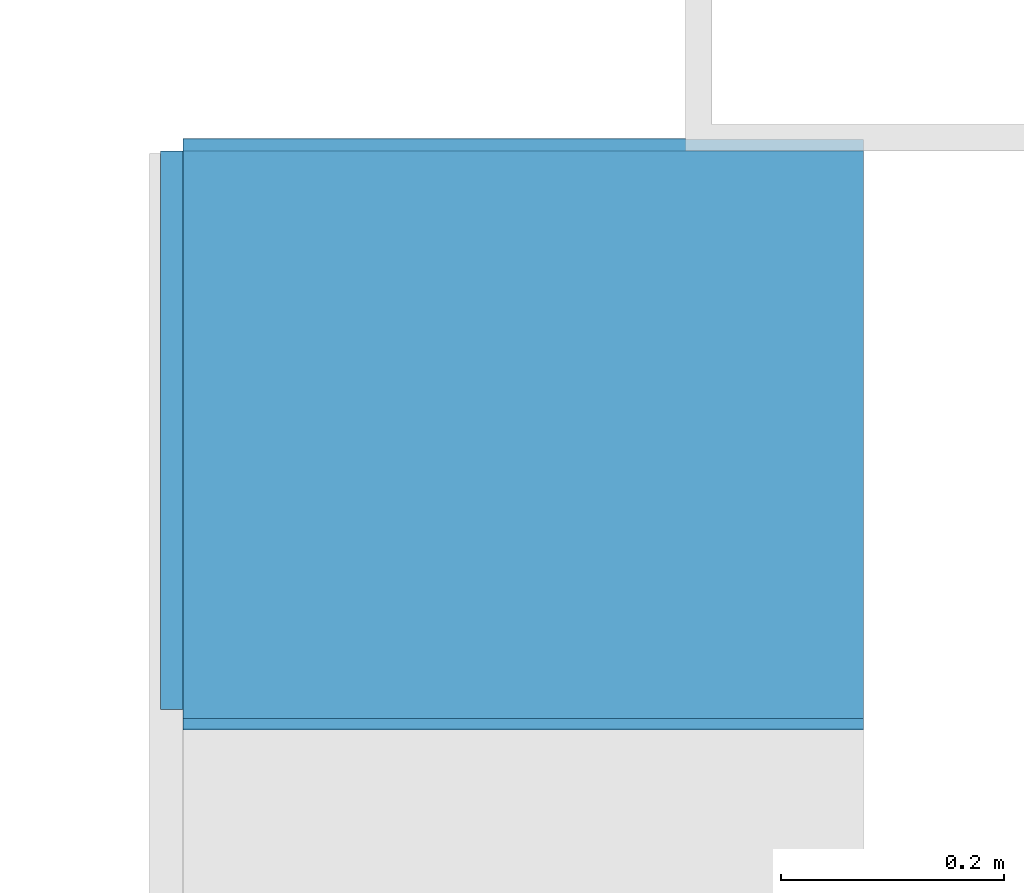
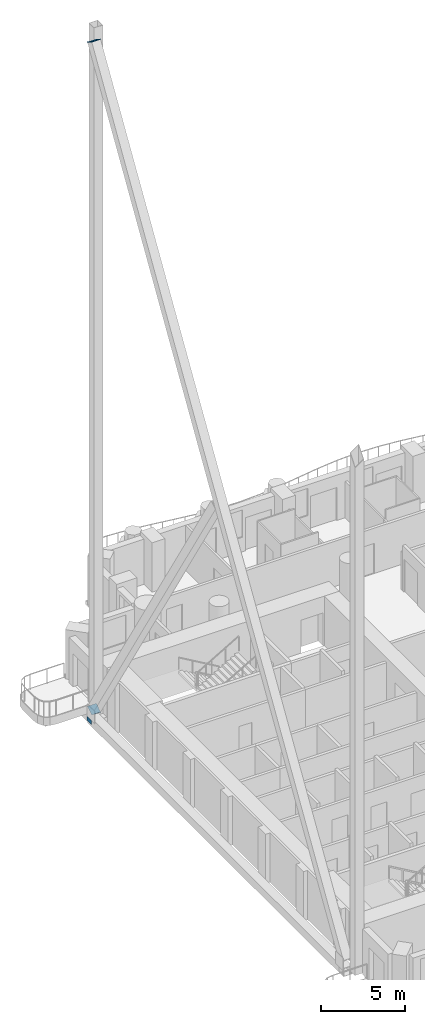
# One storey, part 14 of 24: 3 discrete accessories.
"""IFC4 building model written with IfcOpenShell, lengths in metres."""

import ifcopenshell
import ifcopenshell.guid

model = None  # the IFC model being written
_history = None  # IfcOwnerHistory: only IFC2X3 demands one
_inside = {}  # id of a spatial element -> (the spatial element, [elements in it])
_under = {}  # id of a project, library or spatial element -> (it, [spatial elements below it])
_declared = {}  # id of a project -> (the project, [libraries it declares])
_typed = {}  # id of a type object -> (the type object, [elements of that type])
_made_of = {}  # id of a material, layer set ... -> (it, [elements and type objects made of it])


def new_model(schema):
    """Start an empty IFC model of exactly this schema.

    Asked for "IFC4X3", IfcOpenShell would pick the latest addendum, in which some entities
    have other attributes; the version numbers below select the first issue.
    IFC2X3 requires an IfcOwnerHistory on every rooted entity: one is made here for all.
    """
    global model, _history
    if schema == "IFC4X3":
        model = ifcopenshell.file(schema_version=(4, 3, 0, 0))
    else:
        model = ifcopenshell.file(schema=schema)
    _inside.clear()
    _under.clear()
    _declared.clear()
    _typed.clear()
    _made_of.clear()
    _history = None
    if model.schema == "IFC2X3":
        org = make("IfcOrganization", Name="unknown")
        user = make(
            "IfcPersonAndOrganization",
            ThePerson=make("IfcPerson", FamilyName="unknown"),
            TheOrganization=org,
        )
        app = make(
            "IfcApplication",
            ApplicationDeveloper=org,
            Version="unknown",
            ApplicationFullName="unknown",
            ApplicationIdentifier="unknown",
        )
        _history = make(
            "IfcOwnerHistory",
            OwningUser=user,
            OwningApplication=app,
            ChangeAction="ADDED",
            CreationDate=0,
        )
    return model


def make(cls, **values):
    """One entity of the class cls with the attributes given. An attribute that is None is left unset."""
    return model.create_entity(
        cls, **{name: value for name, value in values.items() if value is not None}
    )


def rooted(cls, **values):
    """An entity with a GlobalId (a new one), such as an element, a storey or a relation."""
    return make(cls, GlobalId=ifcopenshell.guid.new(), OwnerHistory=_history, **values)


def si_unit(unit_type, name, prefix=None):
    """IfcSIUnit, for example si_unit("LENGTHUNIT", "METRE", prefix="MILLI")."""
    return make("IfcSIUnit", UnitType=unit_type, Prefix=prefix, Name=name)


def assignment(units):
    """IfcUnitAssignment: the units of a project."""
    return None if units is None else make("IfcUnitAssignment", Units=units)


def point(xyz):
    """IfcCartesianPoint."""
    return None if xyz is None else make("IfcCartesianPoint", Coordinates=xyz)


def direction(xyz):
    """IfcDirection."""
    return None if xyz is None else make("IfcDirection", DirectionRatios=xyz)


def frame(location, z_axis=None, x_axis=None):
    """IfcAxis2Placement3D, a coordinate frame: its origin and axes. An axis left out is left unset."""
    return make(
        "IfcAxis2Placement3D",
        Location=point(location),
        Axis=direction(z_axis),
        RefDirection=direction(x_axis),
    )


def frame_2d(location, x_axis=None):
    """IfcAxis2Placement2D, a coordinate frame in the plane: its origin and x axis."""
    return make(
        "IfcAxis2Placement2D", Location=point(location), RefDirection=direction(x_axis)
    )


def origin():
    """The frame at (0, 0, 0) with its axes left unset."""
    return frame((0.0, 0.0, 0.0))


def origin_2d():
    """The frame at (0, 0) in the plane with its x axis left unset."""
    return frame_2d((0.0, 0.0))


def place(relative_to, where):
    """IfcLocalPlacement: puts the frame where relative to a parent placement (None: the world)."""
    return make(
        "IfcLocalPlacement", PlacementRelTo=relative_to, RelativePlacement=where
    )


def context(
    kind, dimensions, precision=None, world=None, true_north=None, identifier=None
):
    """IfcGeometricRepresentationContext, for example the 3D "Model" context."""
    return make(
        "IfcGeometricRepresentationContext",
        ContextIdentifier=identifier,
        ContextType=kind,
        CoordinateSpaceDimension=dimensions,
        Precision=precision,
        WorldCoordinateSystem=world,
        TrueNorth=true_north,
    )


def subcontext(parent, identifier, kind, view, scale=None):
    """IfcGeometricRepresentationSubContext, for example "Body" below "Model"."""
    return make(
        "IfcGeometricRepresentationSubContext",
        ContextIdentifier=identifier,
        ContextType=kind,
        ParentContext=parent,
        TargetScale=scale,
        TargetView=view,
    )


def project(units=None, contexts=None):
    """IfcProject with its units and contexts."""
    return rooted(
        "IfcProject",
        Name="project",
        RepresentationContexts=contexts,
        UnitsInContext=assignment(units),
    )


def spatial(cls, under=None, at=None, **own):
    """A site, building, storey or space (cls), placed at a placement, below another one or the project."""
    s = rooted(cls, ObjectPlacement=at, **own)
    if under is not None:
        _under.setdefault(under.id(), (under, []))[1].append(s)
    return s


def profile(cls, at=None, kind="AREA", **sizes):
    """A parametric profile (cls). Its sizes go by their IFC names, for example OverallWidth=200.0."""
    return make(cls, ProfileType=kind, Position=at, **sizes)


def rectangle(**sizes):
    """IfcRectangleProfileDef."""
    return profile("IfcRectangleProfileDef", **sizes)


def extrude(swept, where, along, depth):
    """IfcExtrudedAreaSolid: the profile swept, set in the frame where, extruded along a direction by depth."""
    return make(
        "IfcExtrudedAreaSolid",
        SweptArea=swept,
        Position=where,
        ExtrudedDirection=direction(along),
        Depth=depth,
    )


def shape(context_of_items, identifier, shape_type, items):
    """IfcShapeRepresentation: the items that make up one representation, for example the "Body"."""
    return make(
        "IfcShapeRepresentation",
        ContextOfItems=context_of_items,
        RepresentationIdentifier=identifier,
        RepresentationType=shape_type,
        Items=items,
    )


def material(Name=None, Category=None):
    """IfcMaterial."""
    return make("IfcMaterial", Name=Name, Category=Category)


def material_profile(
    of_material, cross_section, Name=None, Category=None, Priority=None
):
    """IfcMaterialProfile: a cross section and its material."""
    return make(
        "IfcMaterialProfile",
        Name=Name,
        Material=of_material,
        Profile=cross_section,
        Priority=Priority,
        Category=Category,
    )


def profile_set(profiles, Name=None, composite=None):
    """IfcMaterialProfileSet."""
    return make(
        "IfcMaterialProfileSet",
        Name=Name,
        MaterialProfiles=profiles,
        CompositeProfile=composite,
    )


def made_of(thing, what):
    """Note that an element or type object is made of a material, layer set ...; save() writes the relation."""
    if what is not None:
        _made_of.setdefault(what.id(), (what, []))[1].append(thing)
    return thing


def type_object(cls, material=None, **own):
    """A type object (cls), such as IfcWallType, which elements share."""
    return made_of(rooted(cls, **own), material)


def element(
    cls,
    number,
    at=None,
    inside=None,
    cuts=None,
    type_object=None,
    material=None,
    context=None,
    identifier="Body",
    shape_type=None,
    held_by="IfcProductDefinitionShape",
    body=None,
    shapes=None,
    **own,
):
    """One element of the class cls, such as IfcWall. Its Tag is "e" and its number.

    at: its placement. inside: the storey or other place that contains it. cuts: it is an
    opening in that element (IfcRelVoidsElement). A single representation is given by context,
    identifier, shape_type and body (its items); several are given by shapes. held_by: the class
    of the entity that holds the representations. save() writes the other relations.
    """
    e = rooted(cls, Tag="e%d" % number, ObjectPlacement=at, **own)
    if body is not None:
        shapes = [shape(context, identifier, shape_type, body)]
    if shapes is not None:
        e.Representation = make(held_by, Representations=shapes)
    if inside is not None:
        _inside.setdefault(inside.id(), (inside, []))[1].append(e)
    if cuts is not None:
        rooted(
            "IfcRelVoidsElement", RelatingBuildingElement=cuts, RelatedOpeningElement=e
        )
    if type_object is not None:
        _typed.setdefault(type_object.id(), (type_object, []))[1].append(e)
    return made_of(e, material)


def aggregate(whole, parts):
    """IfcRelAggregates: a whole, such as a stair, and the parts it consists of."""
    return rooted("IfcRelAggregates", RelatingObject=whole, RelatedObjects=parts)


def save(model, path):
    """Write the relations noted so far, then the file.

    IfcRelAggregates (storeys below a building ...), IfcRelContainedInSpatialStructure (elements
    in a storey), IfcRelDefinesByType, IfcRelAssociatesMaterial and IfcRelDeclares: one each for
    every whole, place, type object, material and project.
    """
    for whole, parts in _under.values():
        aggregate(whole, parts)
    for where, things in _inside.values():
        rooted(
            "IfcRelContainedInSpatialStructure",
            RelatedElements=things,
            RelatingStructure=where,
        )
    for kind, things in _typed.values():
        rooted("IfcRelDefinesByType", RelatedObjects=things, RelatingType=kind)
    for what, things in _made_of.values():
        rooted("IfcRelAssociatesMaterial", RelatedObjects=things, RelatingMaterial=what)
    for by, libraries in _declared.values():
        rooted("IfcRelDeclares", RelatingContext=by, RelatedDefinitions=libraries)
    model.write(path)


model = new_model("IFC4")

# Units and contexts
model_context = context("Model", 3, precision=1e-05, world=origin(), true_north=direction((0.0, 1.0)))
body_context = subcontext(model_context, "Body", "Model", "MODEL_VIEW")
ifc_project = project(units=[si_unit("LENGTHUNIT", "METRE"), si_unit("AREAUNIT", "SQUARE_METRE"), si_unit("VOLUMEUNIT", "CUBIC_METRE"), si_unit("PLANEANGLEUNIT", "RADIAN"), si_unit("MASSUNIT", "GRAM", prefix="KILO")], contexts=[model_context])

# Site, building, storey
site_placement = place(None, origin())
site = spatial("IfcSite", under=ifc_project, at=site_placement, CompositionType="ELEMENT")
building_placement = place(site_placement, origin())
building = spatial("IfcBuilding", under=site, at=building_placement, Name="Cypress Arch Tower", CompositionType="ELEMENT")
storey_placement = place(building_placement, frame((0.0, 0.0, 102.300048828125)))
storey = spatial("IfcBuildingStorey", under=building, at=storey_placement, Name="L20", CompositionType="ELEMENT", Elevation=102.300048828125)

# Discrete accessories
ifc_material_1 = material(Name="Steel ASTM A992", Category="steel")
ifc_material_profile_1 = material_profile(ifc_material_1, rectangle(XDim=0.609619140625, YDim=0.609619140625, at=origin_2d()), Name="PL 20 610x610")
ifc_profile_set_1 = profile_set([ifc_material_profile_1], Name="Steel ASTM A992")
discrete_accessory_type_1 = type_object("IfcDiscreteAccessoryType", Name="End cap plate 610x610x20 Steel ASTM A992", PredefinedType="ANCHORPLATE", material=ifc_profile_set_1)
discrete_accessory_1_placement = place(storey_placement, frame((-30.7548828125, 15.036376953125, 49.475341796875), z_axis=(0.0, 0.523418105875, 0.852075986308), x_axis=(-1.0, 0.0, 0.0)))
element("IfcDiscreteAccessory", 1, at=discrete_accessory_1_placement, inside=storey, type_object=discrete_accessory_type_1, Name="End cap plate west bracing 2", PredefinedType="ANCHORPLATE", context=body_context, shape_type="SweptSolid", body=[
    extrude(rectangle(XDim=0.609619140625, YDim=0.609619140625, at=origin_2d()), origin(), (0.0, 0.0, 1.0), 0.02001953125),
])
discrete_accessory_2_placement = place(storey_placement, frame((-30.7548828125, 15.036376953125, 0.724365234375), z_axis=(0.0, 0.528892886439, -0.848688585215), x_axis=(-1.0, 0.0, 0.0)))
element("IfcDiscreteAccessory", 2, at=discrete_accessory_2_placement, inside=storey, type_object=discrete_accessory_type_1, Name="End cap plate west bracing 2", PredefinedType="ANCHORPLATE", context=body_context, shape_type="SweptSolid", body=[
    extrude(rectangle(XDim=0.609619140625, YDim=0.609619140625, at=origin_2d()), origin(), (0.0, 0.0, 1.0), 0.019775390625),
])
ifc_material_2 = material(Name="Steel ASTM A992", Category="steel")
ifc_material_profile_2 = material_profile(ifc_material_2, rectangle(XDim=0.5, YDim=0.300048828125, at=origin_2d()), Name="PL 20 500x300")
ifc_profile_set_2 = profile_set([ifc_material_profile_2], Name="Steel ASTM A992")
discrete_accessory_type_2 = type_object("IfcDiscreteAccessoryType", Name="West bracing chord end plate 500x300x20 Steel ASTM A992", PredefinedType="ANCHORPLATE", material=ifc_profile_set_2)
discrete_accessory_3_placement = place(storey_placement, frame((-31.0595703125, 15.045166015625, 0.0), z_axis=(-1.0, 0.0, 0.0), x_axis=(0.0, -1.0, 0.0)))
element("IfcDiscreteAccessory", 3, at=discrete_accessory_3_placement, inside=storey, type_object=discrete_accessory_type_2, Name="End plate west bracing chord 2N", PredefinedType="ANCHORPLATE", context=body_context, shape_type="SweptSolid", body=[
    extrude(rectangle(XDim=0.5, YDim=0.300048828125, at=origin_2d()), origin(), (0.0, 0.0, 1.0), 0.02001953125),
])

save(model, "model.ifc")
